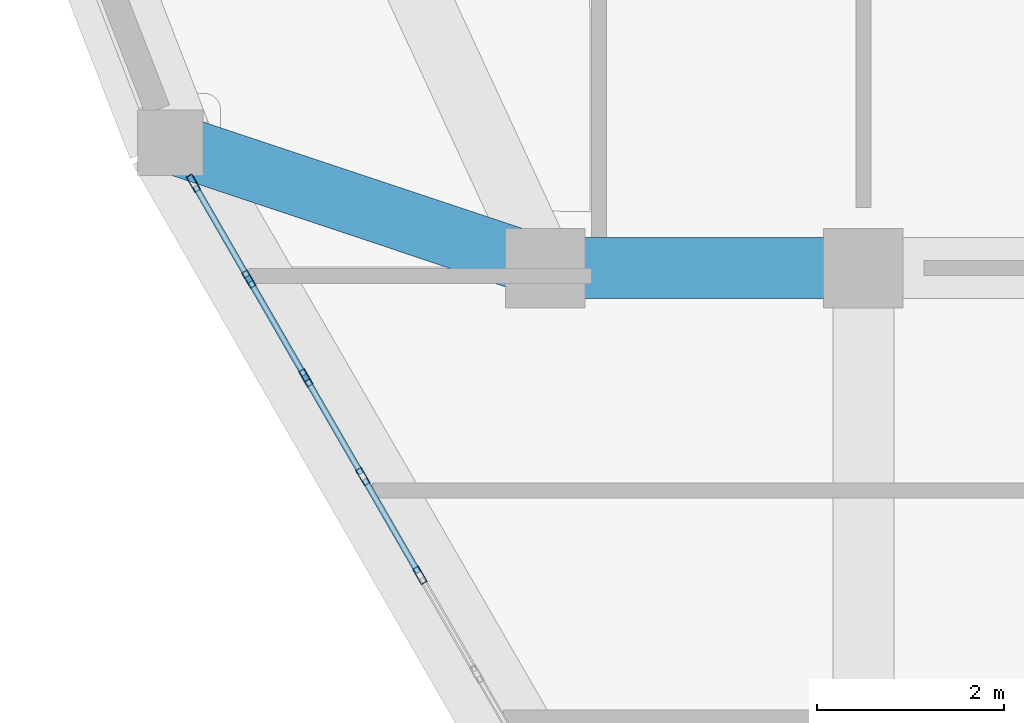
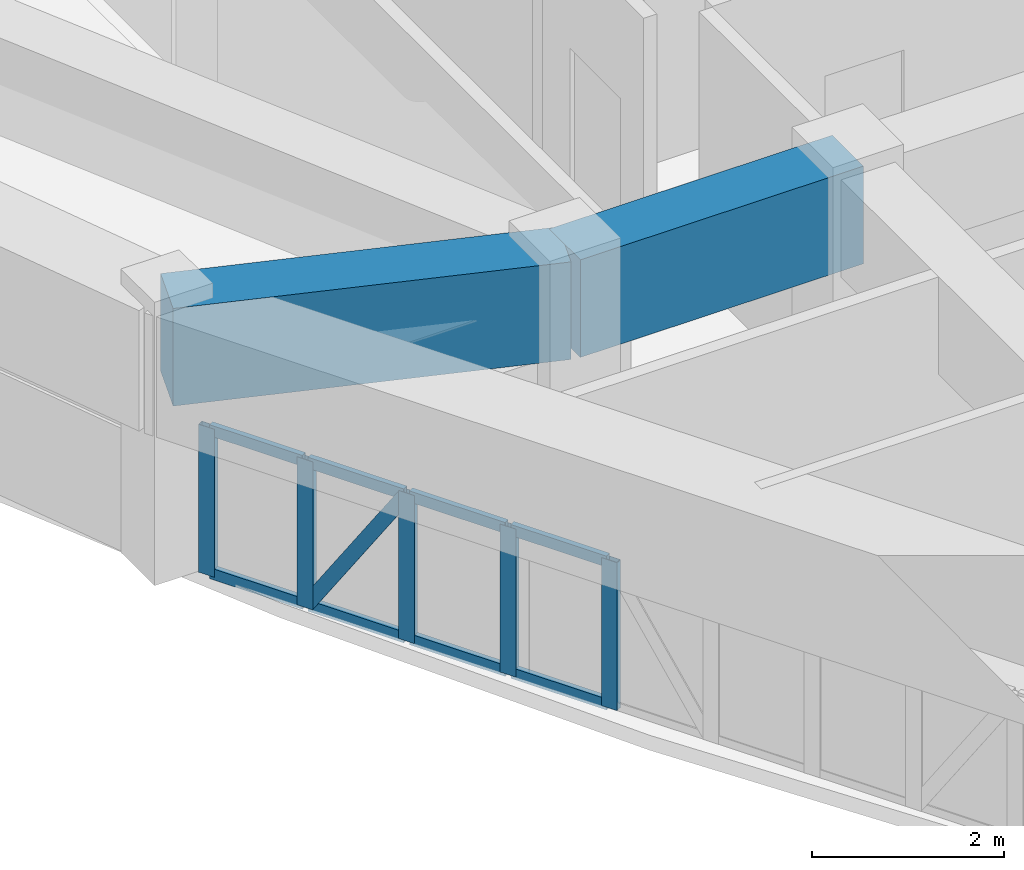
# One storey, part 5 of 14: 14 members, 2 beams, 1 element without a shape of its own.
"""IFC4 building model written with IfcOpenShell, lengths in metres."""

from ifc_helpers import new_model, si_unit, derived_unit, direction, frame, origin, origin_2d, place, context, subcontext, project, spatial, rectangle, hollow_rectangle, extrude, source, transform, mapped, material, layer, layer_set, material_profile, profile_set, type_object, element, aggregate, save


model = new_model("IFC4")

# Units and contexts
model_context = context("Model", 3, precision=1e-05, world=origin(), true_north=direction((0.0, 1.0)))
body_context = subcontext(model_context, "Body", "Model", "MODEL_VIEW")
ifc_project = project(units=[si_unit("LENGTHUNIT", "METRE"), si_unit("AREAUNIT", "SQUARE_METRE"), si_unit("VOLUMEUNIT", "CUBIC_METRE"), si_unit("PLANEANGLEUNIT", "RADIAN"), si_unit("MASSUNIT", "GRAM", prefix="KILO"), derived_unit("THERMALTRANSMITTANCEUNIT", [(si_unit("POWERUNIT", "WATT"), 1), (si_unit("LENGTHUNIT", "METRE"), -2), (si_unit("THERMODYNAMICTEMPERATUREUNIT", "KELVIN"), -1)])], contexts=[model_context])

# Site, building, storey
site_placement = place(None, origin())
site = spatial("IfcSite", under=ifc_project, at=site_placement, CompositionType="ELEMENT")
building_placement = place(site_placement, origin())
building = spatial("IfcBuilding", under=site, at=building_placement, Name="Korsvarv Bourse and Concert Hall", CompositionType="ELEMENT")
storey_placement = place(building_placement, frame((0.0, 0.0, 253.800048828125)))
storey = spatial("IfcBuildingStorey", under=building, at=storey_placement, Name="L66", CompositionType="ELEMENT", Elevation=253.800048828125)

# Beams
ifc_material_1 = material(Name="Concrete C50/60", Category="concrete")
ifc_material_profile_1 = material_profile(ifc_material_1, rectangle(XDim=0.64990234375, YDim=1.239990234375, at=origin_2d()), Name="RC-BM 650x1240")
ifc_profile_set_1 = profile_set([ifc_material_profile_1], Name="Concrete C50/60")
beam_type = type_object("IfcBeamType", Name="BM-TR-SPN", PredefinedType="BEAM", material=ifc_profile_set_1)
shared_shape_1 = source(origin(), body_context, "Body", "SweptSolid", [
    extrude(rectangle(XDim=0.64990234375, YDim=1.239990234375, at=origin_2d()), origin(), (0.0, 0.0, 1.0), 3.400146484375),
])
beam_1_placement = place(storey_placement, frame((24.199951171875, 32.39990234375, 2.7900390625), z_axis=(1.0, 0.0, 0.0), x_axis=(0.0, 1.0, 0.0)))
element("IfcBeam", 1, at=beam_1_placement, inside=storey, type_object=beam_type, Name="L66 beam B-TRS", PredefinedType="BEAM", context=body_context, shape_type="MappedRepresentation", body=[
    mapped(shared_shape_1, transform((0.0, 0.0, 0.0), scale=1.0)),
])
shared_shape_2 = source(origin(), body_context, "Body", "SweptSolid", [
    extrude(rectangle(XDim=0.64990234375, YDim=1.239990234375, at=origin_2d()), origin(), (0.0, 0.0, 1.0), 4.22705078125),
])
beam_2_placement = place(storey_placement, frame((20.190185546875, 33.73779296875, 2.7900390625), z_axis=(0.948590847329, -0.316504983157, 0.0), x_axis=(0.316504983157, 0.948590847329, 0.0)))
element("IfcBeam", 2, at=beam_2_placement, inside=storey, type_object=beam_type, Name="L66 beam B-TRS", PredefinedType="BEAM", context=body_context, shape_type="MappedRepresentation", body=[
    mapped(shared_shape_2, transform((0.0, 0.0, 0.0), scale=1.0)),
])

# Curtain wall, members
ifc_material_2 = material(Name="Anodised aluminium and triple low-E glazing", Category="glass")
ifc_layer = layer(ifc_material_2, 0.199951171875)
ifc_layer_set = layer_set([ifc_layer], Name="Anodised aluminium and triple low-E glazing")
curtain_wall_type = type_object("IfcCurtainWallType", Name="CW-SYS-3", PredefinedType="NOTDEFINED", material=ifc_layer_set)
curtain_wall_placement = place(storey_placement, origin())
curtain_wall = element("IfcCurtainWall", 3, at=curtain_wall_placement, inside=storey, type_object=curtain_wall_type, Name="L66 CW3 curtain wall CW-L66-F07", PredefinedType="NOTDEFINED")
ifc_material_3 = material(Name="Extruded aluminium EN AW-6063 T66", Category="aluminium")
ifc_material_profile_2 = material_profile(ifc_material_3, hollow_rectangle(XDim=0.06494140625, YDim=0.139892578125, WallThickness=0.00390625, at=origin_2d()), Name="ALU-T 65x140")
ifc_profile_set_2 = profile_set([ifc_material_profile_2], Name="Extruded aluminium EN AW-6063 T66")
member_type_1 = type_object("IfcMemberType", Name="CWT-140", PredefinedType="USERDEFINED", material=ifc_profile_set_2)
shared_shape_3 = source(origin(), body_context, "Body", "SweptSolid", [
    extrude(hollow_rectangle(XDim=0.06494140625, YDim=0.139892578125, WallThickness=0.00390625, at=origin_2d()), origin(), (0.0, 0.0, 1.0), 1.113525390625),
])
member_1_placement = place(storey_placement, frame((20.456298828125, 33.277099609375, 0.032470703125), z_axis=(0.499912255713, -0.866076057046, 0.0), x_axis=(0.866076057046, 0.499912255713, 0.0)))
member_1 = element("IfcMember", 4, at=member_1_placement, type_object=member_type_1, Name="CW3 transom 1.1", ObjectType="TRANSOM", PredefinedType="USERDEFINED", context=body_context, shape_type="MappedRepresentation", body=[
    mapped(shared_shape_3, transform((0.0, 0.0, 0.0), scale=1.0)),
])
member_2_placement = place(storey_placement, frame((20.456298828125, 33.277099609375, 1.847412109375), z_axis=(0.499912255713, -0.866076057046, 0.0), x_axis=(0.866076057046, 0.499912255713, 0.0)))
member_2 = element("IfcMember", 5, at=member_2_placement, type_object=member_type_1, Name="CW3 transom 1.2", ObjectType="TRANSOM", PredefinedType="USERDEFINED", context=body_context, shape_type="MappedRepresentation", body=[
    mapped(shared_shape_3, transform((0.0, 0.0, 0.0), scale=1.0)),
])
shared_shape_4 = source(origin(), body_context, "Body", "SweptSolid", [
    extrude(hollow_rectangle(XDim=0.06494140625, YDim=0.139892578125, WallThickness=0.00390625, at=origin_2d()), origin(), (0.0, 0.0, 1.0), 1.148681640625),
])
member_3_placement = place(storey_placement, frame((21.048095703125, 32.252197265625, 0.032470703125), z_axis=(0.49988803956, -0.866090034526, 0.0), x_axis=(0.866090034526, 0.49988803956, 0.0)))
member_3 = element("IfcMember", 6, at=member_3_placement, type_object=member_type_1, Name="CW3 transom 2.1", ObjectType="TRANSOM", PredefinedType="USERDEFINED", context=body_context, shape_type="MappedRepresentation", body=[
    mapped(shared_shape_4, transform((0.0, 0.0, 0.0), scale=1.0)),
])
member_4_placement = place(storey_placement, frame((21.048095703125, 32.252197265625, 1.847412109375), z_axis=(0.49988803956, -0.866090034526, 0.0), x_axis=(0.866090034526, 0.49988803956, 0.0)))
member_4 = element("IfcMember", 7, at=member_4_placement, type_object=member_type_1, Name="CW3 transom 2.2", ObjectType="TRANSOM", PredefinedType="USERDEFINED", context=body_context, shape_type="MappedRepresentation", body=[
    mapped(shared_shape_4, transform((0.0, 0.0, 0.0), scale=1.0)),
])
member_5_placement = place(storey_placement, frame((22.2666015625, 30.141357421875, 0.032470703125), z_axis=(0.500139482584, -0.865944858499, 0.0), x_axis=(0.865944858499, 0.500139482584, 0.0)))
member_5 = element("IfcMember", 8, at=member_5_placement, type_object=member_type_1, Name="CW3 transom 4.1", ObjectType="TRANSOM", PredefinedType="USERDEFINED", context=body_context, shape_type="MappedRepresentation", body=[
    mapped(shared_shape_4, transform((0.0, 0.0, 0.0), scale=1.0)),
])
member_6_placement = place(storey_placement, frame((22.2666015625, 30.141357421875, 1.847412109375), z_axis=(0.500139482584, -0.865944858499, 0.0), x_axis=(0.865944858499, 0.500139482584, 0.0)))
member_6 = element("IfcMember", 9, at=member_6_placement, type_object=member_type_1, Name="CW3 transom 4.2", ObjectType="TRANSOM", PredefinedType="USERDEFINED", context=body_context, shape_type="MappedRepresentation", body=[
    mapped(shared_shape_4, transform((0.0, 0.0, 0.0), scale=1.0)),
])
ifc_material_profile_3 = material_profile(ifc_material_3, hollow_rectangle(XDim=0.070068359375, YDim=0.18994140625, WallThickness=0.0048828125, at=origin_2d()), Name="ALU-M 70x190")
ifc_profile_set_3 = profile_set([ifc_material_profile_3], Name="Extruded aluminium EN AW-6063 T66")
member_type_2 = type_object("IfcMemberType", Name="CWM-190", PredefinedType="MULLION", material=ifc_profile_set_3)
shared_shape_5 = source(origin(), body_context, "Body", "SweptSolid", [
    extrude(hollow_rectangle(XDim=0.070068359375, YDim=0.18994140625, WallThickness=0.0048828125, at=origin_2d()), origin(), (0.0, 0.0, 1.0), 1.8798828125),
])
member_7_placement = place(storey_placement, frame((20.438720703125, 33.307373046875, 0.0), z_axis=(0.0, 0.0, 1.0), x_axis=(0.866023274265, 0.500003688417, 0.0)))
member_7 = element("IfcMember", 10, at=member_7_placement, type_object=member_type_2, Name="CW3 mullion 1", PredefinedType="MULLION", context=body_context, shape_type="MappedRepresentation", body=[
    mapped(shared_shape_5, transform((0.0, 0.0, 0.0), scale=1.0)),
])
member_8_placement = place(storey_placement, frame((21.030517578125, 32.282470703125, 0.0), z_axis=(0.0, 0.0, 1.0), x_axis=(0.866023274265, 0.500003688417, 0.0)))
member_8 = element("IfcMember", 11, at=member_8_placement, type_object=member_type_2, Name="CW3 mullion 2", PredefinedType="MULLION", context=body_context, shape_type="MappedRepresentation", body=[
    mapped(shared_shape_5, transform((0.0, 0.0, 0.0), scale=1.0)),
])
member_9_placement = place(storey_placement, frame((21.639892578125, 31.22705078125, 0.0), z_axis=(0.0, 0.0, 1.0), x_axis=(0.866023274265, 0.500003688417, 0.0)))
member_9 = element("IfcMember", 12, at=member_9_placement, type_object=member_type_2, Name="CW3 mullion 3", PredefinedType="MULLION", context=body_context, shape_type="MappedRepresentation", body=[
    mapped(shared_shape_5, transform((0.0, 0.0, 0.0), scale=1.0)),
])
member_10_placement = place(storey_placement, frame((22.249267578125, 30.171630859375, 0.0), z_axis=(0.0, 0.0, 1.0), x_axis=(0.866023274265, 0.500003688417, 0.0)))
member_10 = element("IfcMember", 13, at=member_10_placement, type_object=member_type_2, Name="CW3 mullion 4", PredefinedType="MULLION", context=body_context, shape_type="MappedRepresentation", body=[
    mapped(shared_shape_5, transform((0.0, 0.0, 0.0), scale=1.0)),
])
member_11_placement = place(storey_placement, frame((22.8583984375, 29.116455078125, 0.0), z_axis=(0.0, 0.0, 1.0), x_axis=(0.866023274265, 0.500003688417, 0.0)))
member_11 = element("IfcMember", 14, at=member_11_placement, type_object=member_type_2, Name="CW3 mullion 5", PredefinedType="MULLION", context=body_context, shape_type="MappedRepresentation", body=[
    mapped(shared_shape_5, transform((0.0, 0.0, 0.0), scale=1.0)),
])
ifc_material_profile_4 = material_profile(ifc_material_3, hollow_rectangle(XDim=0.06494140625, YDim=0.1650390625, WallThickness=0.0048828125, at=origin_2d()), Name="ALU-M 65x165")
ifc_profile_set_4 = profile_set([ifc_material_profile_4], Name="Extruded aluminium EN AW-6063 T66")
member_type_3 = type_object("IfcMemberType", Name="CWM-165", PredefinedType="MULLION", material=ifc_profile_set_4)
shared_shape_6 = source(origin(), body_context, "Body", "SweptSolid", [
    extrude(hollow_rectangle(XDim=0.06494140625, YDim=0.1650390625, WallThickness=0.0048828125, at=origin_2d()), origin(), (0.0, 0.0, 1.0), 2.09326171875),
])
member_12_placement = place(storey_placement, frame((21.048095703125, 32.252197265625, 0.06494140625), z_axis=(0.274309725161, -0.475260259367, 0.835991543348), x_axis=(0.866090034526, 0.49988803956, 0.0)))
member_12 = element("IfcMember", 15, at=member_12_placement, type_object=member_type_3, Name="CW3 diagonal mullion 2", PredefinedType="MULLION", context=body_context, shape_type="MappedRepresentation", body=[
    mapped(shared_shape_6, transform((0.0, 0.0, 0.0), scale=1.0)),
])
shared_shape_7 = source(origin(), body_context, "Body", "SweptSolid", [
    extrude(hollow_rectangle(XDim=0.06494140625, YDim=0.139892578125, WallThickness=0.00390625, at=origin_2d()), origin(), (0.0, 0.0, 1.0), 1.14892578125),
])
member_13_placement = place(storey_placement, frame((21.6572265625, 31.19677734375, 0.032470703125), z_axis=(0.50004744102, -0.865998011966, 0.0), x_axis=(0.865998011966, 0.50004744102, 0.0)))
member_13 = element("IfcMember", 16, at=member_13_placement, type_object=member_type_1, Name="CW3 transom 3.1", ObjectType="TRANSOM", PredefinedType="USERDEFINED", context=body_context, shape_type="MappedRepresentation", body=[
    mapped(shared_shape_7, transform((0.0, 0.0, 0.0), scale=1.0)),
])
member_14_placement = place(storey_placement, frame((21.6572265625, 31.19677734375, 1.847412109375), z_axis=(0.50004744102, -0.865998011966, 0.0), x_axis=(0.865998011966, 0.50004744102, 0.0)))
member_14 = element("IfcMember", 17, at=member_14_placement, type_object=member_type_1, Name="CW3 transom 3.2", ObjectType="TRANSOM", PredefinedType="USERDEFINED", context=body_context, shape_type="MappedRepresentation", body=[
    mapped(shared_shape_7, transform((0.0, 0.0, 0.0), scale=1.0)),
])
aggregate(curtain_wall, [member_7, member_8, member_9, member_10, member_11, member_1, member_2, member_3, member_4, member_12, member_13, member_14, member_5, member_6])

save(model, "model.ifc")
